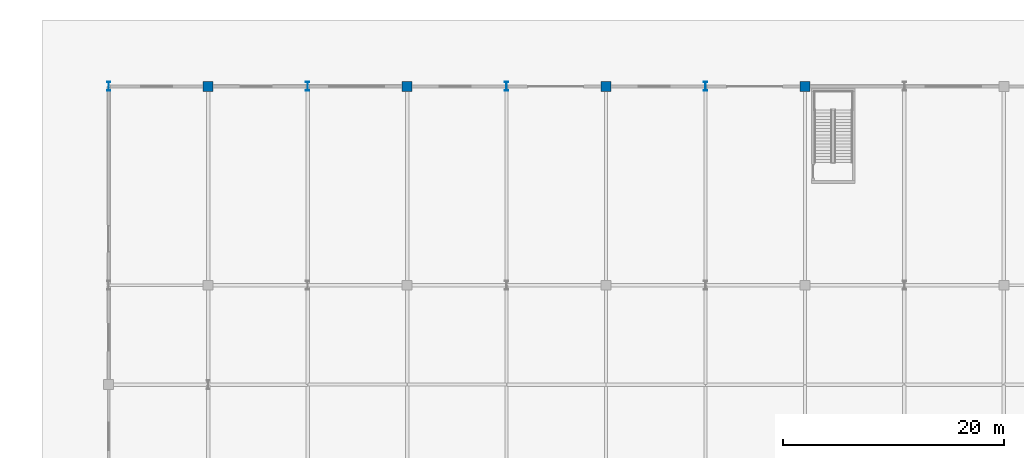
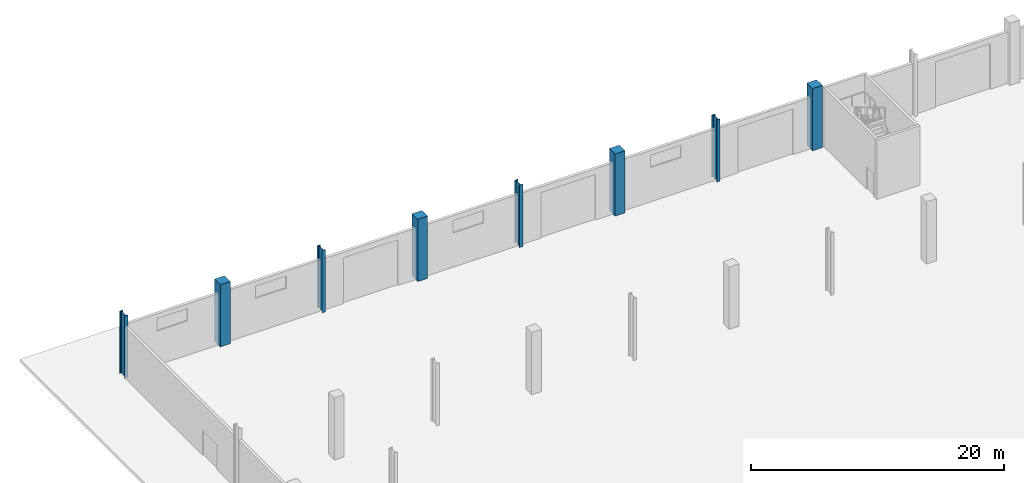
# One storey, part 15 of 58: 8 columns.
"""IFC4 building model written with IfcOpenShell, lengths in metres."""

from ifc_helpers import new_model, si_unit, direction, frame, origin, origin_2d, place, context, subcontext, project, spatial, rectangle, i_section, extrude, material, material_profile, profile_set, type_object, element, save


model = new_model("IFC4")

# Units and contexts
model_context = context("Model", 3, precision=1e-05, world=origin(), true_north=direction((0.0, 1.0)))
body_context = subcontext(model_context, "Body", "Model", "MODEL_VIEW")
ifc_project = project(units=[si_unit("LENGTHUNIT", "METRE"), si_unit("AREAUNIT", "SQUARE_METRE"), si_unit("VOLUMEUNIT", "CUBIC_METRE"), si_unit("PLANEANGLEUNIT", "RADIAN"), si_unit("MASSUNIT", "GRAM", prefix="KILO")], contexts=[model_context])

# Site, building, storey
site_placement = place(None, origin())
site = spatial("IfcSite", under=ifc_project, at=site_placement, CompositionType="ELEMENT")
building_placement = place(site_placement, origin())
building = spatial("IfcBuilding", under=site, at=building_placement, Name="Barlavento Convention Centre", CompositionType="ELEMENT")
storey_placement = place(building_placement, origin())
storey = spatial("IfcBuildingStorey", under=building, at=storey_placement, Name="L00", CompositionType="ELEMENT", Elevation=0.0)

# Columns
ifc_material_1 = material(Name="Steel S460", Category="steel")
ifc_material_profile_1 = material_profile(ifc_material_1, i_section(OverallWidth=0.302978515625, OverallDepth=0.81396484375, WebThickness=0.02099609375, FlangeThickness=0.0400390625, FilletRadius=0.030029296875, at=origin_2d()), Name="HEM 800")
ifc_profile_set_1 = profile_set([ifc_material_profile_1], Name="Steel S460")
column_type_1 = type_object("IfcColumnType", Name="STR-COL-HEM800", PredefinedType="COLUMN", material=ifc_profile_set_1)
for number, where, z_axis, x_axis, name in (
    (1, (0.0, 135.0, 0.0), (0.0, 0.0, 1.0), (1.0, 0.0, 0.0), "L00 column SC02"),
    (2, (18.0, 135.0, 0.0), (0.0, 0.0, 1.0), (1.0, 0.0, 0.0), "L00 column SC02"),
    (3, (36.0, 135.0, 0.0), (0.0, 0.0, 1.0), (1.0, 0.0, 0.0), "L00 column SC02"),
    (4, (54.0, 135.0, 0.0), (0.0, 0.0, 1.0), (1.0, 0.0, 0.0), "L00 column SC02"),
):
    element("IfcColumn", number, at=place(storey_placement, frame(where, z_axis=z_axis, x_axis=x_axis)), inside=storey, type_object=column_type_1, Name=name, PredefinedType="COLUMN", context=body_context, shape_type="SweptSolid", body=[
        extrude(i_section(OverallWidth=0.302978515625, OverallDepth=0.81396484375, WebThickness=0.02099609375, FlangeThickness=0.0400390625, FilletRadius=0.030029296875, at=origin_2d()), origin(), (0.0, 0.0, 1.0), 6.0),
    ])
ifc_material_2 = material(Name="Concrete C50/60", Category="concrete")
ifc_material_profile_2 = material_profile(ifc_material_2, rectangle(XDim=0.89990234375, YDim=0.89990234375, at=origin_2d()), Name="RC 900x900")
ifc_profile_set_2 = profile_set([ifc_material_profile_2], Name="Concrete C50/60")
column_type_2 = type_object("IfcColumnType", Name="STR-COL-RC900", PredefinedType="COLUMN", material=ifc_profile_set_2)
for number, where, z_axis, x_axis, name in (
    (5, (9.0, 135.0, 0.0), (0.0, 0.0, 1.0), (1.0, 0.0, 0.0), "L00 column CC04"),
    (6, (27.0, 135.0, 0.0), (0.0, 0.0, 1.0), (1.0, 0.0, 0.0), "L00 column CC04"),
    (7, (45.0, 135.0, 0.0), (0.0, 0.0, 1.0), (1.0, 0.0, 0.0), "L00 column CC04"),
    (8, (63.0, 135.0, 0.0), (0.0, 0.0, 1.0), (1.0, 0.0, 0.0), "L00 column CC04"),
):
    element("IfcColumn", number, at=place(storey_placement, frame(where, z_axis=z_axis, x_axis=x_axis)), inside=storey, type_object=column_type_2, Name=name, PredefinedType="COLUMN", context=body_context, shape_type="SweptSolid", body=[
        extrude(rectangle(XDim=0.89990234375, YDim=0.89990234375, at=origin_2d()), origin(), (0.0, 0.0, 1.0), 6.0),
    ])

save(model, "model.ifc")
